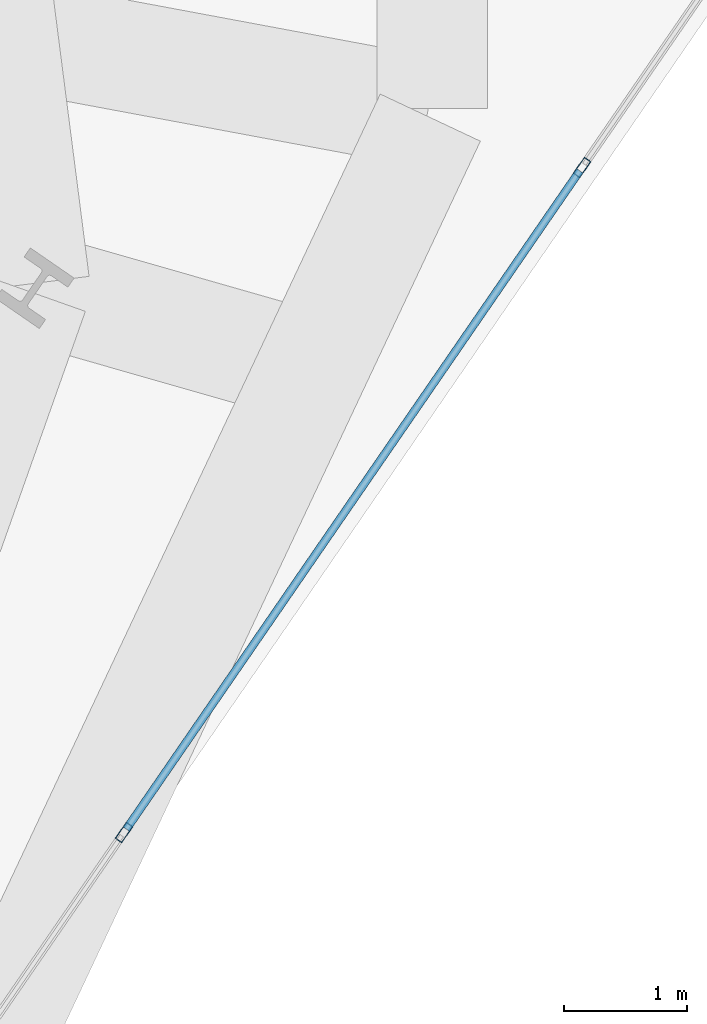
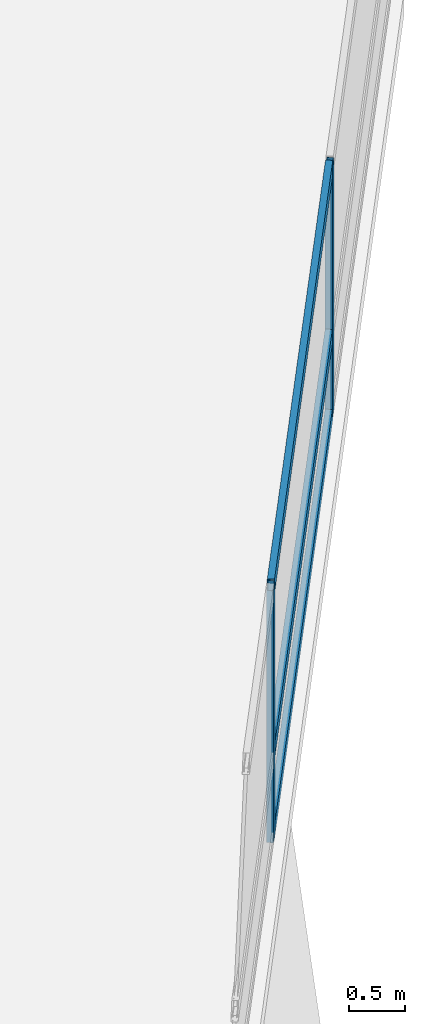
# One storey, part 10 of 26: 5 members, 1 element without a shape of its own.
"""IFC4 building model written with IfcOpenShell, lengths in metres."""

from ifc_helpers import new_model, si_unit, direction, frame, origin, origin_2d, place, context, subcontext, project, spatial, hollow_rectangle, extrude, material, layer, layer_set, material_profile, profile_set, type_object, element, aggregate, save


model = new_model("IFC4")

# Units and contexts
model_context = context("Model", 3, precision=1e-05, world=origin(), true_north=direction((0.0, 1.0)))
body_context = subcontext(model_context, "Body", "Model", "MODEL_VIEW")
ifc_project = project(units=[si_unit("LENGTHUNIT", "METRE"), si_unit("AREAUNIT", "SQUARE_METRE"), si_unit("VOLUMEUNIT", "CUBIC_METRE"), si_unit("PLANEANGLEUNIT", "RADIAN"), si_unit("MASSUNIT", "GRAM", prefix="KILO")], contexts=[model_context])

# Site, building, storey
site_placement = place(None, origin())
site = spatial("IfcSite", under=ifc_project, at=site_placement, CompositionType="ELEMENT")
building_placement = place(site_placement, origin())
building = spatial("IfcBuilding", under=site, at=building_placement, Name="Varnelok Gate Tower", CompositionType="ELEMENT")
storey_placement = place(building_placement, frame((0.0, 0.0, 27.0)))
storey = spatial("IfcBuildingStorey", under=building, at=storey_placement, Name="L05", CompositionType="ELEMENT", Elevation=27.0)

# Curtain wall, members
ifc_material = material(Name="Anodized Aluminum Alloy 6063-T6", Category="aluminium")
ifc_layer = layer(ifc_material, 0.179931640625)
ifc_layer_set = layer_set([ifc_layer], Name="Anodized Aluminum Alloy 6063-T6")
curtain_wall_type = type_object("IfcCurtainWallType", Name="CW3-HOTEL-VISION", PredefinedType="USERDEFINED", material=ifc_layer_set)
curtain_wall_placement = place(storey_placement, origin())
curtain_wall = element("IfcCurtainWall", 1, at=curtain_wall_placement, inside=storey, type_object=curtain_wall_type, Name="L05 East End Vision Curtain Wall", ObjectType="UNITISED CURTAIN WALL", PredefinedType="USERDEFINED")
ifc_material_profile_1 = material_profile(ifc_material, hollow_rectangle(XDim=0.06494140625, YDim=0.159912109375, WallThickness=0.00390625, at=origin_2d()), Name="ALU160X65X4")
ifc_profile_set_1 = profile_set([ifc_material_profile_1], Name="Anodized Aluminum Alloy 6063-T6")
member_type_1 = type_object("IfcMemberType", Name="CW-MULL-160", PredefinedType="MULLION", material=ifc_profile_set_1)
member_1_placement = place(storey_placement, frame((78.8173828125, 13.958251953125, 0.0), z_axis=(0.0, 0.0, 1.0), x_axis=(0.823532685111, -0.567268822124, 0.0)))
member_1 = element("IfcMember", 2, at=member_1_placement, type_object=member_type_1, Name="CW3 mullion 2", PredefinedType="MULLION", context=body_context, shape_type="SweptSolid", body=[
    extrude(hollow_rectangle(XDim=0.06494140625, YDim=0.159912109375, WallThickness=0.00390625, at=origin_2d()), origin(), (0.0, 0.0, 1.0), 2.72998046875),
])
member_2_placement = place(storey_placement, frame((75.09228515625, 8.55029296875, 0.0), z_axis=(0.0, 0.0, 1.0), x_axis=(0.823532685111, -0.567268822124, 0.0)))
member_2 = element("IfcMember", 3, at=member_2_placement, type_object=member_type_1, Name="CW3 mullion 3", PredefinedType="MULLION", context=body_context, shape_type="SweptSolid", body=[
    extrude(hollow_rectangle(XDim=0.06494140625, YDim=0.159912109375, WallThickness=0.00390625, at=origin_2d()), origin(), (0.0, 0.0, 1.0), 2.72998046875),
])
ifc_material_profile_2 = material_profile(ifc_material, hollow_rectangle(XDim=0.06494140625, YDim=0.159912109375, WallThickness=0.00390625, at=origin_2d()), Name="ALU160X65X4")
ifc_profile_set_2 = profile_set([ifc_material_profile_2], Name="Anodized Aluminum Alloy 6063-T6")
member_type_2 = type_object("IfcMemberType", Name="CW-TRAN-160", PredefinedType="USERDEFINED", material=ifc_profile_set_2)
member_3_placement = place(storey_placement, frame((78.798828125, 13.931396484375, 0.032470703125), z_axis=(-0.567279204469, -0.823525533409, 0.0), x_axis=(0.823525533409, -0.567279204469, 0.0)))
member_3 = element("IfcMember", 4, at=member_3_placement, type_object=member_type_2, Name="CW3 transom 2.1", ObjectType="TRANSOM", PredefinedType="USERDEFINED", context=body_context, shape_type="SweptSolid", body=[
    extrude(hollow_rectangle(XDim=0.06494140625, YDim=0.159912109375, WallThickness=0.00390625, at=origin_2d()), origin(), (0.0, 0.0, 1.0), 6.501708984375),
])
member_4_placement = place(storey_placement, frame((78.798828125, 13.931396484375, 0.89990234375), z_axis=(-0.567279204469, -0.823525533409, 0.0), x_axis=(0.823525533409, -0.567279204469, 0.0)))
member_4 = element("IfcMember", 5, at=member_4_placement, type_object=member_type_2, Name="CW3 transom 2.2", ObjectType="TRANSOM", PredefinedType="USERDEFINED", context=body_context, shape_type="SweptSolid", body=[
    extrude(hollow_rectangle(XDim=0.06494140625, YDim=0.159912109375, WallThickness=0.00390625, at=origin_2d()), origin(), (0.0, 0.0, 1.0), 6.501708984375),
])
member_5_placement = place(storey_placement, frame((78.798828125, 13.931396484375, 2.697509765625), z_axis=(-0.567279204469, -0.823525533409, 0.0), x_axis=(0.823525533409, -0.567279204469, 0.0)))
member_5 = element("IfcMember", 6, at=member_5_placement, type_object=member_type_2, Name="CW3 transom 2.3", ObjectType="TRANSOM", PredefinedType="USERDEFINED", context=body_context, shape_type="SweptSolid", body=[
    extrude(hollow_rectangle(XDim=0.06494140625, YDim=0.159912109375, WallThickness=0.00390625, at=origin_2d()), origin(), (0.0, 0.0, 1.0), 6.501708984375),
])
aggregate(curtain_wall, [member_1, member_2, member_3, member_4, member_5])

save(model, "model.ifc")
